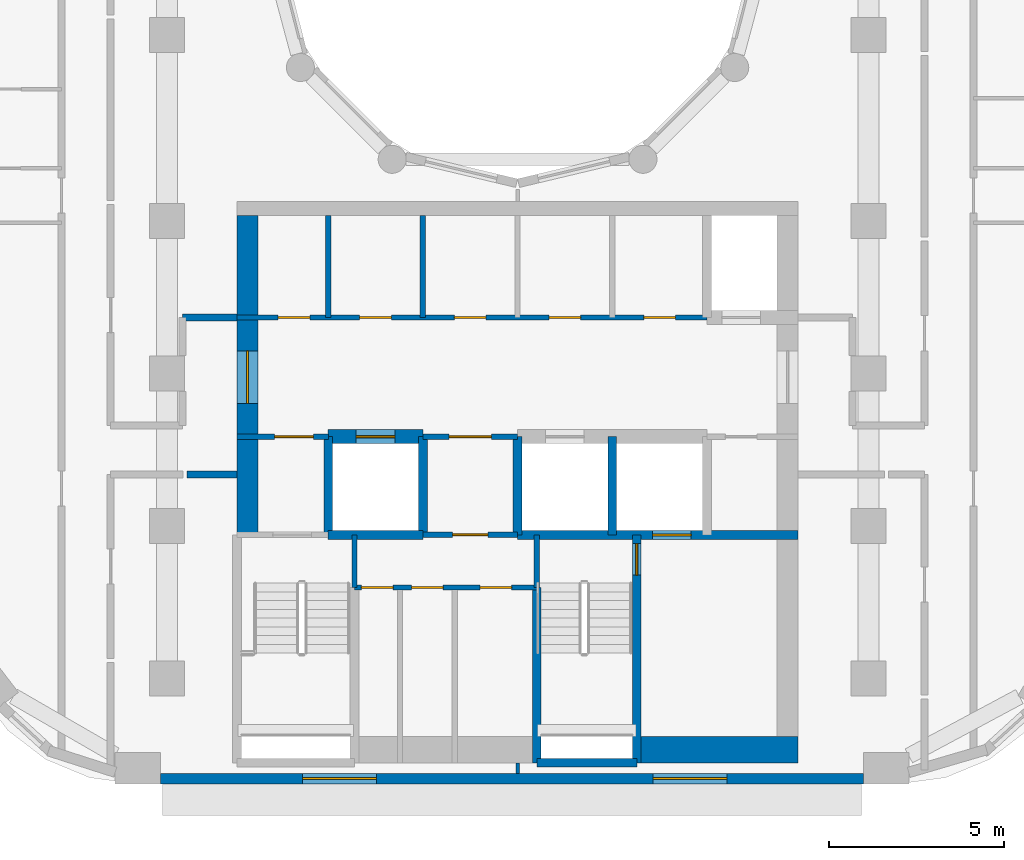
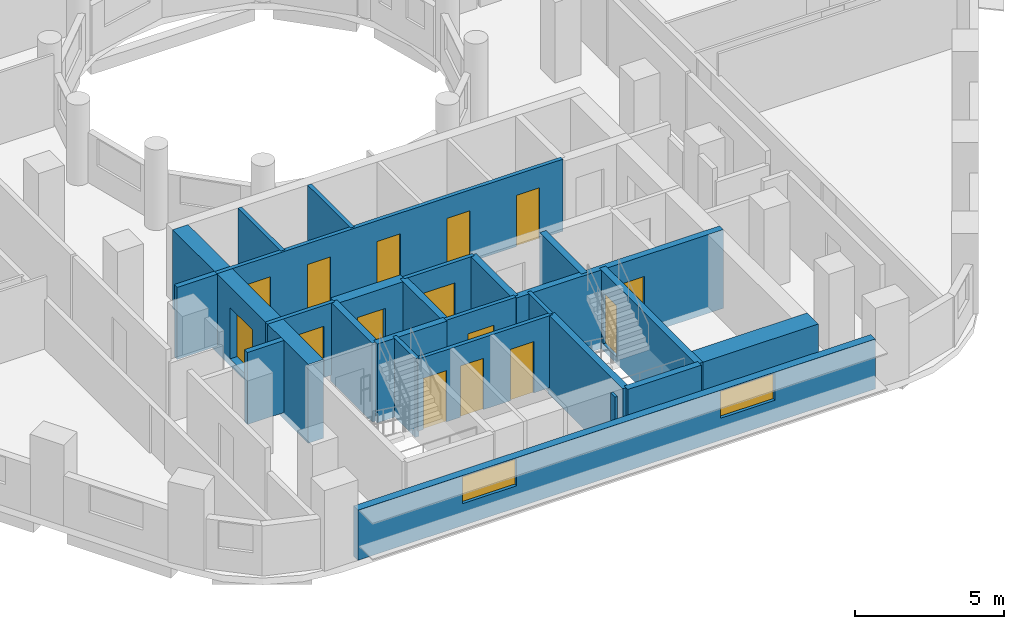
# One storey, part 3 of 14: 25 walls, 15 doors, 2 windows, 17 openings.
"""IFC4 building model written with IfcOpenShell, lengths in metres."""

from ifc_helpers import new_model, si_unit, direction, frame, frame_2d, origin, place, context, subcontext, project, spatial, rectangle, extrude, material, layer, layer_set, type_object, element, fill, save


model = new_model("IFC4")

# Units and contexts
model_context = context("Model", 3, precision=1e-05, world=origin(), true_north=direction((0.0, 1.0)))
body_context = subcontext(model_context, "Body", "Model", "MODEL_VIEW")
ifc_project = project(units=[si_unit("LENGTHUNIT", "METRE"), si_unit("AREAUNIT", "SQUARE_METRE"), si_unit("VOLUMEUNIT", "CUBIC_METRE"), si_unit("PLANEANGLEUNIT", "RADIAN"), si_unit("MASSUNIT", "GRAM", prefix="KILO")], contexts=[model_context])

# Site, building, storey
site_placement = place(None, origin())
site = spatial("IfcSite", under=ifc_project, at=site_placement, CompositionType="ELEMENT")
building_placement = place(site_placement, origin())
building = spatial("IfcBuilding", under=site, at=building_placement, Name="Nakaniwa Court", CompositionType="ELEMENT")
storey_placement = place(building_placement, frame((0.0, 0.0, 166.800048828125)))
storey = spatial("IfcBuildingStorey", under=building, at=storey_placement, Name="L44", CompositionType="ELEMENT", Elevation=166.800048828125)

# Walls
ifc_material_1 = material(Name="Acoustic double stud partition")
ifc_layer_1 = layer(ifc_material_1, 0.199951171875)
ifc_layer_set_1 = layer_set([ifc_layer_1], Name="Acoustic double stud partition")
wall_type_1 = type_object("IfcWallType", Name="Acoustic double stud partition 200", PredefinedType="PARTITIONING", material=ifc_layer_set_1)
wall_1_placement = place(storey_placement, frame((70.5771484375, 64.824951171875, 0.0), z_axis=(0.0, 0.0, 1.0), x_axis=(1.0, 0.0, 0.0)))
element("IfcWall", 1, at=wall_1_placement, inside=storey, type_object=wall_type_1, Name="Partition PW-082", PredefinedType="PARTITIONING", context=body_context, shape_type="SweptSolid", body=[
    extrude(rectangle(XDim=1.4228515625, YDim=0.199951171875, at=frame_2d((0.71142578125, 0.0))), origin(), (0.0, 0.0, 1.0), 2.949951171875),
])
wall_2_placement = place(storey_placement, frame((70.449951171875, 69.300048828125, 0.0), z_axis=(0.0, 0.0, 1.0), x_axis=(1.0, 0.0, 0.0)))
element("IfcWall", 2, at=wall_2_placement, inside=storey, type_object=wall_type_1, Name="Partition PW-086", PredefinedType="PARTITIONING", context=body_context, shape_type="SweptSolid", body=[
    extrude(rectangle(XDim=1.550048828125, YDim=0.199951171875, at=frame_2d((0.77490234375, 0.0))), origin(), (0.0, 0.0, 1.0), 2.949951171875),
])

# Wall, openings, windows
ifc_material_2 = material(Name="Charcoal ceramic cladding")
ifc_layer_2 = layer(ifc_material_2, 0.02, Name="Ceramic cladding")
ifc_material_3 = material(Name="Ventilated air cavity")
ifc_layer_3 = layer(ifc_material_3, 0.04, ventilated=True, Name="Ventilated cavity")
ifc_material_4 = material(Name="Mineral wool insulation")
ifc_layer_4 = layer(ifc_material_4, 0.1, Name="Insulation")
ifc_material_5 = material(Name="Cement bonded sheathing board")
ifc_layer_5 = layer(ifc_material_5, 0.012, Name="Sheathing")
ifc_material_6 = material(Name="Cold-formed galvanised stud frame with mineral wool infill")
ifc_layer_6 = layer(ifc_material_6, 0.1, Name="Stud frame")
ifc_material_7 = material(Name="Fire-rated gypsum plasterboard lining")
ifc_layer_7 = layer(ifc_material_7, 0.028, Name="Lining")
ifc_layer_set_2 = layer_set([ifc_layer_2, ifc_layer_3, ifc_layer_4, ifc_layer_5, ifc_layer_6, ifc_layer_7], Name="Charcoal ceramic faced external wall system")
wall_type_2 = type_object("IfcWallType", Name="Black ceramic faced external wall 300", PredefinedType="SOLIDWALL", material=ifc_layer_set_2)
wall_3_placement = place(storey_placement, frame((69.8212890625, 56.14990234375, 0.0), z_axis=(0.0, 0.0, 1.0), x_axis=(1.0, 0.0, 0.0)))
wall_3 = element("IfcWall", 3, at=wall_3_placement, inside=storey, type_object=wall_type_2, Name="L44 external wall 26", PredefinedType="SOLIDWALL", context=body_context, shape_type="SweptSolid", body=[
    extrude(rectangle(XDim=20.039794921875, YDim=0.300048828125, at=frame_2d((10.02001953125, 0.0))), origin(), (0.0, 0.0, 1.0), 2.050048828125),
])
opening_1_placement = place(wall_3_placement, frame((4.05126953125, 0.0, 0.89990234375)))
opening_1 = element("IfcOpeningElement", 4, at=opening_1_placement, cuts=wall_3, Name="Opening W7.23", PredefinedType="OPENING", context=body_context, shape_type="SweptSolid", body=[
    extrude(rectangle(XDim=2.10009765625, YDim=1.10009765625, at=frame_2d((1.050048828125, 0.550048828125))), frame((0.0, 0.159912109375, 0.0), z_axis=(0.0, -1.0, 0.0), x_axis=(1.0, 0.0, 0.0)), (0.0, 0.0, 1.0), 0.320068359375),
])
opening_2_placement = place(wall_3_placement, frame((14.047119140625, 0.0, 0.89990234375)))
opening_2 = element("IfcOpeningElement", 5, at=opening_2_placement, cuts=wall_3, Name="Opening W7.24", PredefinedType="OPENING", context=body_context, shape_type="SweptSolid", body=[
    extrude(rectangle(XDim=2.10009765625, YDim=1.10009765625, at=frame_2d((1.050048828125, 0.550048828125))), frame((0.0, 0.159912109375, 0.0), z_axis=(0.0, -1.0, 0.0), x_axis=(1.0, 0.0, 0.0)), (0.0, 0.0, 1.0), 0.320068359375),
])
ifc_material_8 = material(Name="Black anodised aluminium frame with dark low-E laminated double glazing", Category="aluminium")
window_type = type_object("IfcWindowType", Name="Dark glass window 2100x1100 sill 900", PartitioningType="SINGLE_PANEL", PredefinedType="WINDOW", material=ifc_material_8)
window_1_placement = place(opening_1_placement, origin())
window_1 = element("IfcWindow", 6, at=window_1_placement, inside=storey, type_object=window_type, Name="L44 habitable room window 26-0", OverallHeight=1.10009765625, OverallWidth=2.10009765625, PartitioningType="SINGLE_PANEL", PredefinedType="WINDOW", context=body_context, shape_type="SweptSolid", body=[
    extrude(rectangle(XDim=2.10009765625, YDim=1.10009765625, at=frame_2d((1.050048828125, 0.550048828125))), frame((0.0, 0.030029296875, 0.0), z_axis=(0.0, -1.0, 0.0), x_axis=(1.0, 0.0, 0.0)), (0.0, 0.0, 1.0), 0.06005859375),
])
fill(opening_1, window_1)
window_2_placement = place(opening_2_placement, origin())
window_2 = element("IfcWindow", 7, at=window_2_placement, inside=storey, type_object=window_type, Name="L44 habitable room window 26-1", OverallHeight=1.10009765625, OverallWidth=2.10009765625, PartitioningType="SINGLE_PANEL", PredefinedType="WINDOW", context=body_context, shape_type="SweptSolid", body=[
    extrude(rectangle(XDim=2.10009765625, YDim=1.10009765625, at=frame_2d((1.050048828125, 0.550048828125))), frame((0.0, 0.030029296875, 0.0), z_axis=(0.0, -1.0, 0.0), x_axis=(1.0, 0.0, 0.0)), (0.0, 0.0, 1.0), 0.06005859375),
])
fill(opening_2, window_2)

# Wall
ifc_material_9 = material(Name="Blockwork partition", Category="masonry")
ifc_layer_8 = layer(ifc_material_9, 0.14990234375)
ifc_layer_set_3 = layer_set([ifc_layer_8], Name="Blockwork partition")
wall_type_3 = type_object("IfcWallType", Name="Blockwork partition 150", PredefinedType="PARTITIONING", material=ifc_layer_set_3)
wall_4_placement = place(storey_placement, frame((74.60009765625, 69.300048828125, 0.0), z_axis=(0.0, 0.0, 1.0), x_axis=(0.0, 1.0, 0.0)))
element("IfcWall", 8, at=wall_4_placement, inside=storey, type_object=wall_type_3, Name="Partition PW-037", PredefinedType="PARTITIONING", context=body_context, shape_type="SweptSolid", body=[
    extrude(rectangle(XDim=2.89990234375, YDim=0.14990234375, at=frame_2d((1.449951171875, 0.0))), origin(), (0.0, 0.0, 1.0), 2.949951171875),
])

# Wall, openings, doors
wall_5_placement = place(storey_placement, frame((72.0, 69.300048828125, 0.0), z_axis=(0.0, 0.0, 1.0), x_axis=(1.0, 0.0, 0.0)))
wall_5 = element("IfcWall", 9, at=wall_5_placement, inside=storey, type_object=wall_type_3, Name="Partition PW-038", PredefinedType="PARTITIONING", context=body_context, shape_type="SweptSolid", body=[
    extrude(rectangle(XDim=13.39990234375, YDim=0.14990234375, at=frame_2d((6.699951171875, 0.0))), origin(), (0.0, 0.0, 1.0), 2.949951171875),
])
opening_3_placement = place(wall_5_placement, frame((1.175048828125, 0.0, 0.0)))
opening_3 = element("IfcOpeningElement", 10, at=opening_3_placement, cuts=wall_5, Name="Opening D-05-10", PredefinedType="OPENING", context=body_context, shape_type="SweptSolid", body=[
    extrude(rectangle(XDim=0.89990234375, YDim=2.10009765625, at=frame_2d((0.449951171875, 1.050048828125))), frame((0.0, 0.0849609375, 0.0), z_axis=(0.0, -1.0, 0.0), x_axis=(1.0, 0.0, 0.0)), (0.0, 0.0, 1.0), 0.169921875),
])
opening_4_placement = place(wall_5_placement, frame((3.5, 0.0, 0.0)))
opening_4 = element("IfcOpeningElement", 11, at=opening_4_placement, cuts=wall_5, Name="Opening D-05-11", PredefinedType="OPENING", context=body_context, shape_type="SweptSolid", body=[
    extrude(rectangle(XDim=0.89990234375, YDim=2.10009765625, at=frame_2d((0.449951171875, 1.050048828125))), frame((0.0, 0.0849609375, 0.0), z_axis=(0.0, -1.0, 0.0), x_axis=(1.0, 0.0, 0.0)), (0.0, 0.0, 1.0), 0.169921875),
])
opening_5_placement = place(wall_5_placement, frame((6.199951171875, 0.0, 0.0)))
opening_5 = element("IfcOpeningElement", 12, at=opening_5_placement, cuts=wall_5, Name="Opening D-05-12", PredefinedType="OPENING", context=body_context, shape_type="SweptSolid", body=[
    extrude(rectangle(XDim=0.89990234375, YDim=2.10009765625, at=frame_2d((0.449951171875, 1.050048828125))), frame((0.0, 0.0849609375, 0.0), z_axis=(0.0, -1.0, 0.0), x_axis=(1.0, 0.0, 0.0)), (0.0, 0.0, 1.0), 0.169921875),
])
opening_6_placement = place(wall_5_placement, frame((8.89990234375, 0.0, 0.0)))
opening_6 = element("IfcOpeningElement", 13, at=opening_6_placement, cuts=wall_5, Name="Opening D-05-13", PredefinedType="OPENING", context=body_context, shape_type="SweptSolid", body=[
    extrude(rectangle(XDim=0.89990234375, YDim=2.10009765625, at=frame_2d((0.449951171875, 1.050048828125))), frame((0.0, 0.0849609375, 0.0), z_axis=(0.0, -1.0, 0.0), x_axis=(1.0, 0.0, 0.0)), (0.0, 0.0, 1.0), 0.169921875),
])
opening_7_placement = place(wall_5_placement, frame((11.60009765625, 0.0, 0.0)))
opening_7 = element("IfcOpeningElement", 14, at=opening_7_placement, cuts=wall_5, Name="Opening D-05-14", PredefinedType="OPENING", context=body_context, shape_type="SweptSolid", body=[
    extrude(rectangle(XDim=0.89990234375, YDim=2.10009765625, at=frame_2d((0.449951171875, 1.050048828125))), frame((0.0, 0.0849609375, 0.0), z_axis=(0.0, -1.0, 0.0), x_axis=(1.0, 0.0, 0.0)), (0.0, 0.0, 1.0), 0.169921875),
])
ifc_material_10 = material(Name="Fire rated steel door set", Category="steel")
door_type_1 = type_object("IfcDoorType", Name="Service room door 900", OperationType="NOTDEFINED", PredefinedType="DOOR", material=ifc_material_10)
door_1_placement = place(opening_3_placement, origin())
door_1 = element("IfcDoor", 15, at=door_1_placement, inside=storey, type_object=door_type_1, Name="Door D-05-10 L44-015", OperationType="SINGLE_SWING_RIGHT", OverallHeight=2.10009765625, OverallWidth=0.89990234375, PredefinedType="DOOR", context=body_context, shape_type="SweptSolid", body=[
    extrude(rectangle(XDim=0.89990234375, YDim=2.10009765625, at=frame_2d((0.449951171875, 1.050048828125))), frame((0.0, 0.02490234375, 0.0), z_axis=(0.0, -1.0, 0.0), x_axis=(1.0, 0.0, 0.0)), (0.0, 0.0, 1.0), 0.050048828125),
])
fill(opening_3, door_1)
door_2_placement = place(opening_4_placement, origin())
door_2 = element("IfcDoor", 16, at=door_2_placement, inside=storey, type_object=door_type_1, Name="Door D-05-11 L44-016", OperationType="SINGLE_SWING_LEFT", OverallHeight=2.10009765625, OverallWidth=0.89990234375, PredefinedType="DOOR", context=body_context, shape_type="SweptSolid", body=[
    extrude(rectangle(XDim=0.89990234375, YDim=2.10009765625, at=frame_2d((0.449951171875, 1.050048828125))), frame((0.0, 0.02490234375, 0.0), z_axis=(0.0, -1.0, 0.0), x_axis=(1.0, 0.0, 0.0)), (0.0, 0.0, 1.0), 0.050048828125),
])
fill(opening_4, door_2)
door_3_placement = place(opening_5_placement, origin())
door_3 = element("IfcDoor", 17, at=door_3_placement, inside=storey, type_object=door_type_1, Name="Door D-05-12 L44-017", OperationType="SINGLE_SWING_RIGHT", OverallHeight=2.10009765625, OverallWidth=0.89990234375, PredefinedType="DOOR", context=body_context, shape_type="SweptSolid", body=[
    extrude(rectangle(XDim=0.89990234375, YDim=2.10009765625, at=frame_2d((0.449951171875, 1.050048828125))), frame((0.0, 0.02490234375, 0.0), z_axis=(0.0, -1.0, 0.0), x_axis=(1.0, 0.0, 0.0)), (0.0, 0.0, 1.0), 0.050048828125),
])
fill(opening_5, door_3)
door_4_placement = place(opening_6_placement, origin())
door_4 = element("IfcDoor", 18, at=door_4_placement, inside=storey, type_object=door_type_1, Name="Door D-05-13 L44-018", OperationType="SINGLE_SWING_LEFT", OverallHeight=2.10009765625, OverallWidth=0.89990234375, PredefinedType="DOOR", context=body_context, shape_type="SweptSolid", body=[
    extrude(rectangle(XDim=0.89990234375, YDim=2.10009765625, at=frame_2d((0.449951171875, 1.050048828125))), frame((0.0, 0.02490234375, 0.0), z_axis=(0.0, -1.0, 0.0), x_axis=(1.0, 0.0, 0.0)), (0.0, 0.0, 1.0), 0.050048828125),
])
fill(opening_6, door_4)
door_5_placement = place(opening_7_placement, origin())
door_5 = element("IfcDoor", 19, at=door_5_placement, inside=storey, type_object=door_type_1, Name="Door D-05-14 L44-019", OperationType="SINGLE_SWING_RIGHT", OverallHeight=2.10009765625, OverallWidth=0.89990234375, PredefinedType="DOOR", context=body_context, shape_type="SweptSolid", body=[
    extrude(rectangle(XDim=0.89990234375, YDim=2.10009765625, at=frame_2d((0.449951171875, 1.050048828125))), frame((0.0, 0.02490234375, 0.0), z_axis=(0.0, -1.0, 0.0), x_axis=(1.0, 0.0, 0.0)), (0.0, 0.0, 1.0), 0.050048828125),
])
fill(opening_7, door_5)

# Wall
wall_6_placement = place(storey_placement, frame((77.300048828125, 69.300048828125, 0.0), z_axis=(0.0, 0.0, 1.0), x_axis=(0.0, 1.0, 0.0)))
element("IfcWall", 20, at=wall_6_placement, inside=storey, type_object=wall_type_3, Name="Partition PW-044", PredefinedType="PARTITIONING", context=body_context, shape_type="SweptSolid", body=[
    extrude(rectangle(XDim=2.89990234375, YDim=0.14990234375, at=frame_2d((1.449951171875, 0.0))), origin(), (0.0, 0.0, 1.0), 2.949951171875),
])

# Wall, opening, door
wall_7_placement = place(storey_placement, frame((74.60302734375, 65.89990234375, 0.0), z_axis=(0.0, 0.0, 1.0), x_axis=(-1.0, 0.0, 0.0)))
wall_7 = element("IfcWall", 21, at=wall_7_placement, inside=storey, type_object=wall_type_3, Name="Partition PW-047", PredefinedType="PARTITIONING", context=body_context, shape_type="SweptSolid", body=[
    extrude(rectangle(XDim=2.60302734375, YDim=0.14990234375, at=frame_2d((1.301513671875, 0.0))), origin(), (0.0, 0.0, 1.0), 2.949951171875),
])
opening_8_placement = place(wall_7_placement, frame((0.427978515625, 0.0, 0.0)))
opening_8 = element("IfcOpeningElement", 22, at=opening_8_placement, cuts=wall_7, Name="Opening D-08-02", PredefinedType="OPENING", context=body_context, shape_type="SweptSolid", body=[
    extrude(rectangle(XDim=1.10009765625, YDim=2.10009765625, at=frame_2d((0.550048828125, 1.050048828125))), frame((0.0, 0.0849609375, 0.0), z_axis=(0.0, -1.0, 0.0), x_axis=(1.0, 0.0, 0.0)), (0.0, 0.0, 1.0), 0.169921875),
])
door_type_2 = type_object("IfcDoorType", Name="Stair lobby door 1100", OperationType="NOTDEFINED", PredefinedType="DOOR", material=ifc_material_10)
door_6_placement = place(opening_8_placement, origin())
door_6 = element("IfcDoor", 23, at=door_6_placement, inside=storey, type_object=door_type_2, Name="Door D-08-02 L44-020", OperationType="SINGLE_SWING_LEFT", OverallHeight=2.10009765625, OverallWidth=1.10009765625, PredefinedType="DOOR", context=body_context, shape_type="SweptSolid", body=[
    extrude(rectangle(XDim=1.10009765625, YDim=2.10009765625, at=frame_2d((0.550048828125, 1.050048828125))), frame((0.0, 0.02490234375, 0.0), z_axis=(0.0, -1.0, 0.0), x_axis=(1.0, 0.0, 0.0)), (0.0, 0.0, 1.0), 0.050048828125),
])
fill(opening_8, door_6)

wall_8_placement = place(storey_placement, frame((80.0029296875, 65.89990234375, 0.0), z_axis=(0.0, 0.0, 1.0), x_axis=(-1.0, 0.0, 0.0)))
wall_8 = element("IfcWall", 24, at=wall_8_placement, inside=storey, type_object=wall_type_3, Name="Partition PW-048", PredefinedType="PARTITIONING", context=body_context, shape_type="SweptSolid", body=[
    extrude(rectangle(XDim=2.705810546875, YDim=0.14990234375, at=frame_2d((1.35302734375, 0.0))), origin(), (0.0, 0.0, 1.0), 2.949951171875),
])
opening_9_placement = place(wall_8_placement, frame((0.7529296875, 0.0, 0.0)))
opening_9 = element("IfcOpeningElement", 25, at=opening_9_placement, cuts=wall_8, Name="Opening D-06-02", PredefinedType="OPENING", context=body_context, shape_type="SweptSolid", body=[
    extrude(rectangle(XDim=1.199951171875, YDim=2.10009765625, at=frame_2d((0.60009765625, 1.050048828125))), frame((0.0, 0.0849609375, 0.0), z_axis=(0.0, -1.0, 0.0), x_axis=(1.0, 0.0, 0.0)), (0.0, 0.0, 1.0), 0.169921875),
])
ifc_material_11 = material(Name="Fire rated steel double door set", Category="steel")
door_type_3 = type_object("IfcDoorType", Name="Service passage double door 1200", OperationType="NOTDEFINED", PredefinedType="DOOR", material=ifc_material_11)
door_7_placement = place(opening_9_placement, origin())
door_7 = element("IfcDoor", 26, at=door_7_placement, inside=storey, type_object=door_type_3, Name="Door D-06-02 L44-021", OperationType="DOUBLE_DOOR_SINGLE_SWING", OverallHeight=2.10009765625, OverallWidth=1.199951171875, PredefinedType="DOOR", context=body_context, shape_type="SweptSolid", body=[
    extrude(rectangle(XDim=1.199951171875, YDim=2.10009765625, at=frame_2d((0.60009765625, 1.050048828125))), frame((0.0, 0.02490234375, 0.0), z_axis=(0.0, -1.0, 0.0), x_axis=(1.0, 0.0, 0.0)), (0.0, 0.0, 1.0), 0.050048828125),
])
fill(opening_9, door_7)

wall_9_placement = place(storey_placement, frame((80.0, 63.10009765625, 0.0), z_axis=(0.0, 0.0, 1.0), x_axis=(-1.0, 0.0, 0.0)))
wall_9 = element("IfcWall", 27, at=wall_9_placement, inside=storey, type_object=wall_type_3, Name="Partition PW-058", PredefinedType="PARTITIONING", context=body_context, shape_type="SweptSolid", body=[
    extrude(rectangle(XDim=2.699951171875, YDim=0.14990234375, at=frame_2d((1.35009765625, 0.0))), origin(), (0.0, 0.0, 1.0), 2.949951171875),
])
opening_10_placement = place(wall_9_placement, frame((0.85009765625, 0.0, 0.0)))
opening_10 = element("IfcOpeningElement", 28, at=opening_10_placement, cuts=wall_9, Name="Opening D-23-02", PredefinedType="OPENING", context=body_context, shape_type="SweptSolid", body=[
    extrude(rectangle(XDim=1.0, YDim=2.10009765625, at=frame_2d((0.5, 1.050048828125))), frame((0.0, 0.0849609375, 0.0), z_axis=(0.0, -1.0, 0.0), x_axis=(1.0, 0.0, 0.0)), (0.0, 0.0, 1.0), 0.169921875),
])
door_type_4 = type_object("IfcDoorType", Name="Service room door 1000", OperationType="NOTDEFINED", PredefinedType="DOOR", material=ifc_material_10)
door_8_placement = place(opening_10_placement, origin())
door_8 = element("IfcDoor", 29, at=door_8_placement, inside=storey, type_object=door_type_4, Name="Door D-23-02 L44-023", OperationType="SINGLE_SWING_RIGHT", OverallHeight=2.10009765625, OverallWidth=1.0, PredefinedType="DOOR", context=body_context, shape_type="SweptSolid", body=[
    extrude(rectangle(XDim=1.0, YDim=2.10009765625, at=frame_2d((0.5, 1.050048828125))), frame((0.0, 0.02490234375, 0.0), z_axis=(0.0, -1.0, 0.0), x_axis=(1.0, 0.0, 0.0)), (0.0, 0.0, 1.0), 0.050048828125),
])
fill(opening_10, door_8)

# Wall, openings, doors
wall_10_placement = place(storey_placement, frame((80.550048828125, 61.60009765625, 0.0), z_axis=(0.0, 0.0, 1.0), x_axis=(-1.0, 0.0, 0.0)))
wall_10 = element("IfcWall", 30, at=wall_10_placement, inside=storey, type_object=wall_type_3, Name="Partition PW-070", PredefinedType="PARTITIONING", context=body_context, shape_type="SweptSolid", body=[
    extrude(rectangle(XDim=5.199951171875, YDim=0.14990234375, at=frame_2d((2.60009765625, 0.0))), origin(), (0.0, 0.0, 1.0), 2.949951171875),
])
opening_11_placement = place(wall_10_placement, frame((4.10009765625, 0.0, 0.0)))
opening_11 = element("IfcOpeningElement", 31, at=opening_11_placement, cuts=wall_10, Name="Opening D-05-16", PredefinedType="OPENING", context=body_context, shape_type="SweptSolid", body=[
    extrude(rectangle(XDim=0.89990234375, YDim=2.10009765625, at=frame_2d((0.449951171875, 1.050048828125))), frame((0.0, 0.0849609375, 0.0), z_axis=(0.0, -1.0, 0.0), x_axis=(1.0, 0.0, 0.0)), (0.0, 0.0, 1.0), 0.169921875),
])
opening_12_placement = place(wall_10_placement, frame((2.669921875, 0.0, 0.0)))
opening_12 = element("IfcOpeningElement", 32, at=opening_12_placement, cuts=wall_10, Name="Opening D-05-17", PredefinedType="OPENING", context=body_context, shape_type="SweptSolid", body=[
    extrude(rectangle(XDim=0.89990234375, YDim=2.10009765625, at=frame_2d((0.449951171875, 1.050048828125))), frame((0.0, 0.0849609375, 0.0), z_axis=(0.0, -1.0, 0.0), x_axis=(1.0, 0.0, 0.0)), (0.0, 0.0, 1.0), 0.169921875),
])
opening_13_placement = place(wall_10_placement, frame((0.719970703125, 0.0, 0.0)))
opening_13 = element("IfcOpeningElement", 33, at=opening_13_placement, cuts=wall_10, Name="Opening D-05-18", PredefinedType="OPENING", context=body_context, shape_type="SweptSolid", body=[
    extrude(rectangle(XDim=0.89990234375, YDim=2.10009765625, at=frame_2d((0.449951171875, 1.050048828125))), frame((0.0, 0.0849609375, 0.0), z_axis=(0.0, -1.0, 0.0), x_axis=(1.0, 0.0, 0.0)), (0.0, 0.0, 1.0), 0.169921875),
])
door_9_placement = place(opening_11_placement, origin())
door_9 = element("IfcDoor", 34, at=door_9_placement, inside=storey, type_object=door_type_1, Name="Door D-05-16 L44-024", OperationType="SINGLE_SWING_LEFT", OverallHeight=2.10009765625, OverallWidth=0.89990234375, PredefinedType="DOOR", context=body_context, shape_type="SweptSolid", body=[
    extrude(rectangle(XDim=0.89990234375, YDim=2.10009765625, at=frame_2d((0.449951171875, 1.050048828125))), frame((0.0, 0.02490234375, 0.0), z_axis=(0.0, -1.0, 0.0), x_axis=(1.0, 0.0, 0.0)), (0.0, 0.0, 1.0), 0.050048828125),
])
fill(opening_11, door_9)
door_10_placement = place(opening_12_placement, origin())
door_10 = element("IfcDoor", 35, at=door_10_placement, inside=storey, type_object=door_type_1, Name="Door D-05-17 L44-025", OperationType="SINGLE_SWING_RIGHT", OverallHeight=2.10009765625, OverallWidth=0.89990234375, PredefinedType="DOOR", context=body_context, shape_type="SweptSolid", body=[
    extrude(rectangle(XDim=0.89990234375, YDim=2.10009765625, at=frame_2d((0.449951171875, 1.050048828125))), frame((0.0, 0.02490234375, 0.0), z_axis=(0.0, -1.0, 0.0), x_axis=(1.0, 0.0, 0.0)), (0.0, 0.0, 1.0), 0.050048828125),
])
fill(opening_12, door_10)
door_11_placement = place(opening_13_placement, origin())
door_11 = element("IfcDoor", 36, at=door_11_placement, inside=storey, type_object=door_type_1, Name="Door D-05-18 L44-026", OperationType="SINGLE_SWING_LEFT", OverallHeight=2.10009765625, OverallWidth=0.89990234375, PredefinedType="DOOR", context=body_context, shape_type="SweptSolid", body=[
    extrude(rectangle(XDim=0.89990234375, YDim=2.10009765625, at=frame_2d((0.449951171875, 1.050048828125))), frame((0.0, 0.02490234375, 0.0), z_axis=(0.0, -1.0, 0.0), x_axis=(1.0, 0.0, 0.0)), (0.0, 0.0, 1.0), 0.050048828125),
])
fill(opening_13, door_11)

# Wall, opening, door
ifc_material_12 = material(Name="Concrete C80/100", Category="concrete")
ifc_layer_9 = layer(ifc_material_12, 0.60009765625)
ifc_layer_set_4 = layer_set([ifc_layer_9], Name="Concrete C80/100")
wall_type_4 = type_object("IfcWallType", Name="Concrete core side wall 600 C80", PredefinedType="SHEAR", material=ifc_layer_set_4)
wall_11_placement = place(storey_placement, frame((72.300048828125, 63.10009765625, -0.275146484375), z_axis=(0.0, 0.0, 1.0), x_axis=(0.0, 1.0, 0.0)))
wall_11 = element("IfcWall", 37, at=wall_11_placement, inside=storey, type_object=wall_type_4, Name="Core wall SW-39", PredefinedType="SHEAR", context=body_context, shape_type="SweptSolid", body=[
    extrude(rectangle(XDim=9.099853515625, YDim=0.60009765625, at=frame_2d((4.5498046875, 0.0))), origin(), (0.0, 0.0, 1.0), 3.22509765625),
])
opening_14_placement = place(wall_11_placement, frame((3.748046875, 0.0, 0.27490234375)))
opening_14 = element("IfcOpeningElement", 38, at=opening_14_placement, cuts=wall_11, Name="Opening D-07-04", PredefinedType="OPENING", context=body_context, shape_type="SweptSolid", body=[
    extrude(rectangle(XDim=1.5, YDim=2.10009765625, at=frame_2d((0.75, 1.050048828125))), frame((0.0, 0.31005859375, 0.0), z_axis=(0.0, -1.0, 0.0), x_axis=(1.0, 0.0, 0.0)), (0.0, 0.0, 1.0), 0.6201171875),
])
ifc_material_13 = material(Name="Glazed fire rated steel double door set", Category="steel")
door_type_5 = type_object("IfcDoorType", Name="Lobby double door 1500", OperationType="NOTDEFINED", PredefinedType="DOOR", material=ifc_material_13)
door_12_placement = place(opening_14_placement, origin())
door_12 = element("IfcDoor", 39, at=door_12_placement, inside=storey, type_object=door_type_5, Name="Door D-07-04 L44-061", OperationType="DOUBLE_DOOR_SINGLE_SWING", OverallHeight=2.10009765625, OverallWidth=1.5, PredefinedType="DOOR", context=body_context, shape_type="SweptSolid", body=[
    extrude(rectangle(XDim=1.5, YDim=2.10009765625, at=frame_2d((0.75, 1.050048828125))), frame((0.0, 0.02490234375, 0.0), z_axis=(0.0, -1.0, 0.0), x_axis=(1.0, 0.0, 0.0)), (0.0, 0.0, 1.0), 0.050048828125),
])
fill(opening_14, door_12)

ifc_layer_10 = layer(ifc_material_12, 0.39990234375)
ifc_layer_set_5 = layer_set([ifc_layer_10], Name="Concrete C80/100")
wall_type_5 = type_object("IfcWallType", Name="Concrete core spine wall 400 C80", PredefinedType="SHEAR", material=ifc_layer_set_5)
wall_12_placement = place(storey_placement, frame((74.596923828125, 65.89990234375, -0.275146484375), z_axis=(0.0, 0.0, 1.0), x_axis=(1.0, 0.0, 0.0)))
wall_12 = element("IfcWall", 40, at=wall_12_placement, inside=storey, type_object=wall_type_5, Name="Core wall SW-50", PredefinedType="SHEAR", context=body_context, shape_type="SweptSolid", body=[
    extrude(rectangle(XDim=2.7060546875, YDim=0.39990234375, at=frame_2d((1.35302734375, 0.0))), origin(), (0.0, 0.0, 1.0), 3.22509765625),
])
opening_15_placement = place(wall_12_placement, frame((0.802978515625, 0.0, 0.27490234375)))
opening_15 = element("IfcOpeningElement", 41, at=opening_15_placement, cuts=wall_12, Name="Opening LD06", PredefinedType="OPENING", context=body_context, shape_type="SweptSolid", body=[
    extrude(rectangle(XDim=1.10009765625, YDim=2.10009765625, at=frame_2d((0.550048828125, 1.050048828125))), frame((0.0, 0.2099609375, 0.0), z_axis=(0.0, -1.0, 0.0), x_axis=(1.0, 0.0, 0.0)), (0.0, 0.0, 1.0), 0.419921875),
])
ifc_material_14 = material(Name="Stainless steel sliding lift landing door", Category="steel")
door_type_6 = type_object("IfcDoorType", Name="Lift landing door 1100", OperationType="NOTDEFINED", PredefinedType="DOOR", material=ifc_material_14)
door_13_placement = place(opening_15_placement, origin())
door_13 = element("IfcDoor", 42, at=door_13_placement, inside=storey, type_object=door_type_6, Name="Lift landing door LD06 L44-006", OperationType="SLIDING_TO_LEFT", OverallHeight=2.10009765625, OverallWidth=1.10009765625, PredefinedType="DOOR", context=body_context, shape_type="SweptSolid", body=[
    extrude(rectangle(XDim=1.10009765625, YDim=2.10009765625, at=frame_2d((0.550048828125, 1.050048828125))), frame((0.0, 0.02490234375, 0.0), z_axis=(0.0, -1.0, 0.0), x_axis=(1.0, 0.0, 0.0)), (0.0, 0.0, 1.0), 0.050048828125),
])
fill(opening_15, door_13)

# Walls
ifc_layer_11 = layer(ifc_material_12, 0.14990234375)
ifc_layer_set_6 = layer_set([ifc_layer_11], Name="Concrete C80/100")
wall_type_6 = type_object("IfcWallType", Name="Concrete core wall 150 C80", PredefinedType="SHEAR", material=ifc_layer_set_6)
for number, where, z_axis, x_axis, name in (
    (43, (75.35009765625, 61.596923828125, -0.275146484375), (0.0, 0.0, 1.0), (0.0, 1.0, 0.0), "Core wall SW-60"),
    (44, (80.550048828125, 61.596923828125, -0.275146484375), (0.0, 0.0, 1.0), (0.0, 1.0, 0.0), "Core wall SW-66"),
):
    element("IfcWall", number, at=place(storey_placement, frame(where, z_axis=z_axis, x_axis=x_axis)), inside=storey, type_object=wall_type_6, Name=name, PredefinedType="SHEAR", context=body_context, shape_type="SweptSolid", body=[
        extrude(rectangle(XDim=1.503173828125, YDim=0.14990234375, at=frame_2d((0.75146484375, 0.0))), origin(), (0.0, 0.0, 1.0), 3.22509765625),
    ])
ifc_layer_12 = layer(ifc_material_12, 0.25)
ifc_layer_set_7 = layer_set([ifc_layer_12], Name="Concrete C80/100")
wall_type_7 = type_object("IfcWallType", Name="Concrete core wall 250 C80", PredefinedType="SHEAR", material=ifc_layer_set_7)
wall_13_placement = place(storey_placement, frame((80.550048828125, 56.60009765625, -0.275146484375), z_axis=(0.0, 0.0, 1.0), x_axis=(1.0, 0.0, 0.0)))
element("IfcWall", 45, at=wall_13_placement, inside=storey, type_object=wall_type_7, Name="Core wall SW-64", PredefinedType="SHEAR", context=body_context, shape_type="SweptSolid", body=[
    extrude(rectangle(XDim=2.849853515625, YDim=0.25, at=frame_2d((1.4248046875, 0.0))), origin(), (0.0, 0.0, 1.0), 3.22509765625),
])
ifc_layer_13 = layer(ifc_material_12, 0.75)
ifc_layer_set_8 = layer_set([ifc_layer_13], Name="Concrete C80/100")
wall_type_8 = type_object("IfcWallType", Name="Concrete core wall 750 C80", PredefinedType="SHEAR", material=ifc_layer_set_8)
wall_14_placement = place(storey_placement, frame((83.39990234375, 56.97509765625, -0.275146484375), z_axis=(0.0, 0.0, 1.0), x_axis=(1.0, 0.0, 0.0)))
element("IfcWall", 46, at=wall_14_placement, inside=storey, type_object=wall_type_8, Name="Core wall SW-69", PredefinedType="SHEAR", context=body_context, shape_type="SweptSolid", body=[
    extrude(rectangle(XDim=4.60009765625, YDim=0.75, at=frame_2d((2.300048828125, 0.0))), origin(), (0.0, 0.0, 1.0), 3.22509765625),
])
ifc_layer_14 = layer(ifc_material_12, 0.25)
ifc_layer_set_9 = layer_set([ifc_layer_14], Name="Concrete C80/100")
wall_type_9 = type_object("IfcWallType", Name="Concrete shaft wall 250 C80", PredefinedType="SHEAR", material=ifc_layer_set_9)
for number, where, z_axis, x_axis, name in (
    (47, (74.60009765625, 63.10009765625, -0.275146484375), (0.0, 0.0, 1.0), (0.0, 1.0, 0.0), "Core wall SW-52"),
    (48, (77.300048828125, 63.10009765625, -0.275146484375), (0.0, 0.0, 1.0), (0.0, 1.0, 0.0), "Core wall SW-54"),
):
    element("IfcWall", number, at=place(storey_placement, frame(where, z_axis=z_axis, x_axis=x_axis)), inside=storey, type_object=wall_type_9, Name=name, PredefinedType="SHEAR", context=body_context, shape_type="SweptSolid", body=[
        extrude(rectangle(XDim=2.7998046875, YDim=0.25, at=frame_2d((1.39990234375, 0.0))), origin(), (0.0, 0.0, 1.0), 3.22509765625),
    ])
wall_15_placement = place(storey_placement, frame((74.60009765625, 63.10009765625, -0.275146484375), z_axis=(0.0, 0.0, 1.0), x_axis=(1.0, 0.0, 0.0)))
element("IfcWall", 49, at=wall_15_placement, inside=storey, type_object=wall_type_9, Name="Core wall SW-55", PredefinedType="SHEAR", context=body_context, shape_type="SweptSolid", body=[
    extrude(rectangle(XDim=2.699951171875, YDim=0.25, at=frame_2d((1.35009765625, 0.0))), origin(), (0.0, 0.0, 1.0), 3.22509765625),
])

# Wall, opening, door
wall_16_placement = place(storey_placement, frame((80.0, 63.10009765625, -0.275146484375), z_axis=(0.0, 0.0, 1.0), x_axis=(1.0, 0.0, 0.0)))
wall_16 = element("IfcWall", 50, at=wall_16_placement, inside=storey, type_object=wall_type_9, Name="Core wall SW-56", PredefinedType="SHEAR", context=body_context, shape_type="SweptSolid", body=[
    extrude(rectangle(XDim=8.0, YDim=0.25, at=frame_2d((4.0, 0.0))), origin(), (0.0, 0.0, 1.0), 3.22509765625),
])
opening_16_placement = place(wall_16_placement, frame((3.84912109375, 0.0, 0.27490234375)))
opening_16 = element("IfcOpeningElement", 51, at=opening_16_placement, cuts=wall_16, Name="Opening LD08", PredefinedType="OPENING", context=body_context, shape_type="SweptSolid", body=[
    extrude(rectangle(XDim=1.10009765625, YDim=2.10009765625, at=frame_2d((0.550048828125, 1.050048828125))), frame((0.0, 0.135009765625, 0.0), z_axis=(0.0, -1.0, 0.0), x_axis=(1.0, 0.0, 0.0)), (0.0, 0.0, 1.0), 0.27001953125),
])
door_14_placement = place(opening_16_placement, origin())
door_14 = element("IfcDoor", 52, at=door_14_placement, inside=storey, type_object=door_type_6, Name="Lift landing door LD08 L44-008", OperationType="SLIDING_TO_LEFT", OverallHeight=2.10009765625, OverallWidth=1.10009765625, PredefinedType="DOOR", context=body_context, shape_type="SweptSolid", body=[
    extrude(rectangle(XDim=1.10009765625, YDim=2.10009765625, at=frame_2d((0.550048828125, 1.050048828125))), frame((0.0, 0.02490234375, 0.0), z_axis=(0.0, -1.0, 0.0), x_axis=(1.0, 0.0, 0.0)), (0.0, 0.0, 1.0), 0.050048828125),
])
fill(opening_16, door_14)

# Walls
for number, where, z_axis, x_axis, name in (
    (53, (80.0, 63.10009765625, -0.275146484375), (0.0, 0.0, 1.0), (0.0, 1.0, 0.0), "Core wall SW-57"),
    (54, (82.699951171875, 63.10009765625, -0.275146484375), (0.0, 0.0, 1.0), (0.0, 1.0, 0.0), "Core wall SW-59"),
):
    element("IfcWall", number, at=place(storey_placement, frame(where, z_axis=z_axis, x_axis=x_axis)), inside=storey, type_object=wall_type_9, Name=name, PredefinedType="SHEAR", context=body_context, shape_type="SweptSolid", body=[
        extrude(rectangle(XDim=2.7998046875, YDim=0.25, at=frame_2d((1.39990234375, 0.0))), origin(), (0.0, 0.0, 1.0), 3.22509765625),
    ])

# Wall, opening, door
wall_17_placement = place(storey_placement, frame((83.39990234375, 63.10009765625, -0.275146484375), z_axis=(0.0, 0.0, 1.0), x_axis=(0.0, -1.0, 0.0)))
wall_17 = element("IfcWall", 55, at=wall_17_placement, inside=storey, type_object=wall_type_9, Name="Core wall SW-65", PredefinedType="SHEAR", context=body_context, shape_type="SweptSolid", body=[
    extrude(rectangle(XDim=6.5, YDim=0.25, at=frame_2d((3.25, 0.0))), origin(), (0.0, 0.0, 1.0), 3.22509765625),
])
opening_17_placement = place(wall_17_placement, frame((0.25, 0.0, 0.27490234375)))
opening_17 = element("IfcOpeningElement", 56, at=opening_17_placement, cuts=wall_17, Name="Opening D-11-02", PredefinedType="OPENING", context=body_context, shape_type="SweptSolid", body=[
    extrude(rectangle(XDim=0.89990234375, YDim=2.10009765625, at=frame_2d((0.449951171875, 1.050048828125))), frame((0.0, 0.135009765625, 0.0), z_axis=(0.0, -1.0, 0.0), x_axis=(1.0, 0.0, 0.0)), (0.0, 0.0, 1.0), 0.27001953125),
])
door_type_7 = type_object("IfcDoorType", Name="Stair door 900", OperationType="NOTDEFINED", PredefinedType="DOOR", material=ifc_material_10)
door_15_placement = place(opening_17_placement, origin())
door_15 = element("IfcDoor", 57, at=door_15_placement, inside=storey, type_object=door_type_7, Name="Door D-11-02 L44-028", OperationType="SINGLE_SWING_RIGHT", OverallHeight=2.10009765625, OverallWidth=0.89990234375, PredefinedType="DOOR", context=body_context, shape_type="SweptSolid", body=[
    extrude(rectangle(XDim=0.89990234375, YDim=2.10009765625, at=frame_2d((0.449951171875, 1.050048828125))), frame((0.0, 0.02490234375, 0.0), z_axis=(0.0, -1.0, 0.0), x_axis=(1.0, 0.0, 0.0)), (0.0, 0.0, 1.0), 0.050048828125),
])
fill(opening_17, door_15)

# Walls
wall_18_placement = place(storey_placement, frame((80.550048828125, 56.60009765625, -0.275146484375), z_axis=(0.0, 0.0, 1.0), x_axis=(0.0, 1.0, 0.0)))
element("IfcWall", 58, at=wall_18_placement, inside=storey, type_object=wall_type_9, Name="Core wall SW-67", PredefinedType="SHEAR", context=body_context, shape_type="SweptSolid", body=[
    extrude(rectangle(XDim=5.0029296875, YDim=0.25, at=frame_2d((2.50146484375, 0.0))), origin(), (0.0, 0.0, 1.0), 3.22509765625),
])
ifc_material_15 = material(Name="Single stud plasterboard partition")
ifc_layer_15 = layer(ifc_material_15, 0.10009765625)
ifc_layer_set_10 = layer_set([ifc_layer_15], Name="Single stud plasterboard partition")
wall_type_10 = type_object("IfcWallType", Name="Single stud plasterboard partition 100", PredefinedType="PARTITIONING", material=ifc_layer_set_10)
wall_19_placement = place(storey_placement, frame((80.0, 56.300048828125, 0.0), z_axis=(0.0, 0.0, 1.0), x_axis=(0.0, 1.0, 0.0)))
element("IfcWall", 59, at=wall_19_placement, inside=storey, type_object=wall_type_10, Name="Partition PW-115", PredefinedType="PARTITIONING", context=body_context, shape_type="SweptSolid", body=[
    extrude(rectangle(XDim=0.300048828125, YDim=0.10009765625, at=frame_2d((0.14990234375, 0.0))), origin(), (0.0, 0.0, 1.0), 2.949951171875),
])

save(model, "model.ifc")
